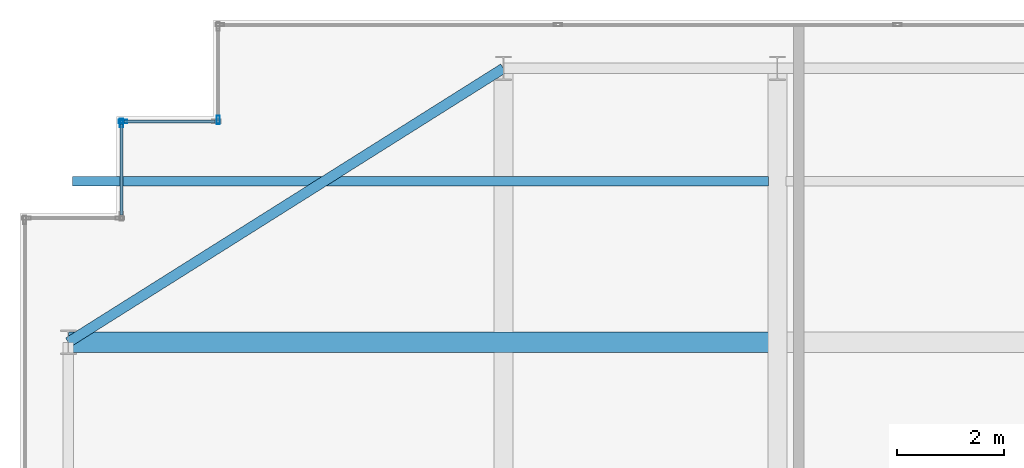
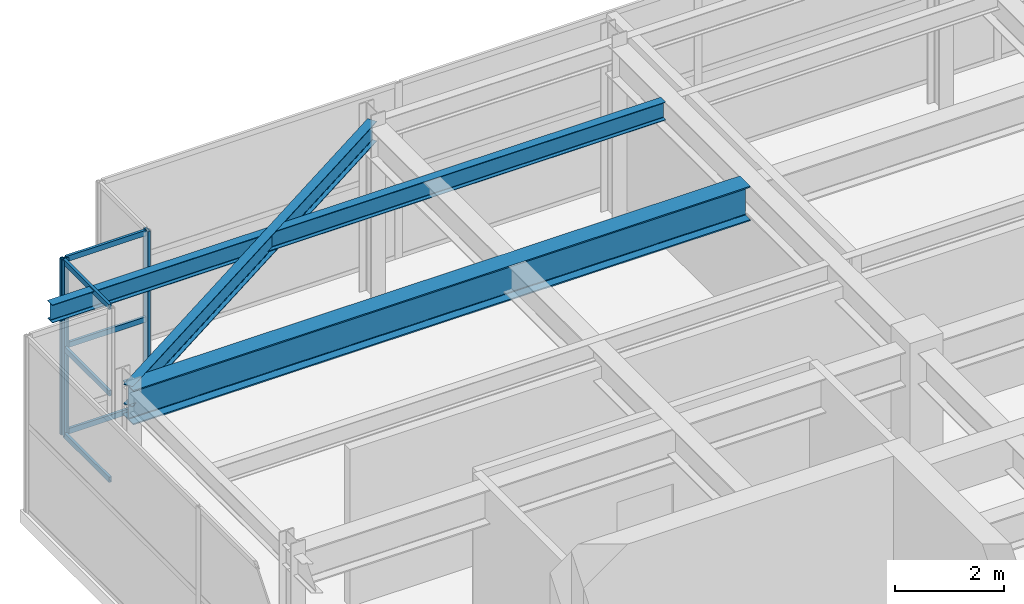
# One storey, part 21 of 32: 9 members, 3 beams, 3 elements without a shape of their own.
"""IFC4 building model written with IfcOpenShell, lengths in metres."""

from ifc_helpers import new_model, si_unit, direction, frame, origin, origin_2d, place, context, subcontext, project, spatial, hollow_rectangle, i_section, extrude, source, transform, mapped, material, layer, layer_set, material_profile, profile_set, type_object, element, aggregate, save


model = new_model("IFC4")

# Units and contexts
model_context = context("Model", 3, precision=1e-05, world=origin(), true_north=direction((0.0, 1.0)))
body_context = subcontext(model_context, "Body", "Model", "MODEL_VIEW")
ifc_project = project(units=[si_unit("LENGTHUNIT", "METRE"), si_unit("AREAUNIT", "SQUARE_METRE"), si_unit("VOLUMEUNIT", "CUBIC_METRE"), si_unit("PLANEANGLEUNIT", "RADIAN"), si_unit("MASSUNIT", "GRAM", prefix="KILO")], contexts=[model_context])

# Site, building, storey
site_placement = place(None, origin())
site = spatial("IfcSite", under=ifc_project, at=site_placement, CompositionType="ELEMENT")
building_placement = place(site_placement, origin())
building = spatial("IfcBuilding", under=site, at=building_placement, Name="Khoralis Quay Care Tower", CompositionType="ELEMENT")
storey_placement = place(building_placement, frame((0.0, 0.0, 306.300048828125)))
storey = spatial("IfcBuildingStorey", under=building, at=storey_placement, Name="L80", CompositionType="ELEMENT", Elevation=306.300048828125)

# Beams
ifc_material_1 = material(Name="Steel S355", Category="steel")
ifc_material_profile_1 = material_profile(ifc_material_1, i_section(OverallWidth=0.18994140625, OverallDepth=0.449951171875, WebThickness=0.009521484375, FlangeThickness=0.0146484375, FilletRadius=0.02099609375, at=origin_2d()), Name="Steel S355")
ifc_profile_set_1 = profile_set([ifc_material_profile_1], Name="Steel S355")
beam_type_1 = type_object("IfcBeamType", Name="BM-IPE450", PredefinedType="SPANDREL", material=ifc_profile_set_1)
shared_shape_1 = source(origin(), body_context, "Body", "SweptSolid", [
    extrude(i_section(OverallWidth=0.18994140625, OverallDepth=0.449951171875, WebThickness=0.009521484375, FlangeThickness=0.0146484375, FilletRadius=0.02099609375, at=origin_2d()), origin(), (0.0, 0.0, 1.0), 9.572021484375),
])
beam_1_placement = place(storey_placement, frame((12.0, 41.10009765625, 3.695068359375), z_axis=(-0.846231136359, -0.532815975602, 0.0), x_axis=(0.532815975602, -0.846231136359, 0.0)))
element("IfcBeam", 1, at=beam_1_placement, inside=storey, type_object=beam_type_1, Name="BM-TCR-L80-19", PredefinedType="SPANDREL", context=body_context, shape_type="MappedRepresentation", body=[
    mapped(shared_shape_1, transform((0.0, 0.0, 0.0), scale=1.0)),
])
ifc_material_profile_2 = material_profile(ifc_material_1, i_section(OverallWidth=0.381103515625, OverallDepth=0.77294921875, WebThickness=0.0166015625, FlangeThickness=0.027587890625, FilletRadius=0.02197265625, at=origin_2d()), Name="Steel S355")
ifc_profile_set_2 = profile_set([ifc_material_profile_2], Name="Steel S355")
beam_type_2 = type_object("IfcBeamType", Name="BM-W760X257", PredefinedType="BEAM", material=ifc_profile_set_2)
shared_shape_2 = source(origin(), body_context, "Body", "SweptSolid", [
    extrude(i_section(OverallWidth=0.381103515625, OverallDepth=0.77294921875, WebThickness=0.0166015625, FlangeThickness=0.027587890625, FilletRadius=0.02197265625, at=origin_2d()), origin(), (0.0, 0.0, 1.0), 13.03466796875),
])
beam_2_placement = place(storey_placement, frame((3.89990234375, 36.0, 3.533447265625), z_axis=(1.0, 0.0, 0.0), x_axis=(0.0, 1.0, 0.0)))
element("IfcBeam", 2, at=beam_2_placement, inside=storey, type_object=beam_type_2, Name="BM-TGXW-L80-360", PredefinedType="BEAM", context=body_context, shape_type="MappedRepresentation", body=[
    mapped(shared_shape_2, transform((0.0, 0.0, 0.0), scale=1.0)),
])
ifc_material_profile_3 = material_profile(ifc_material_1, i_section(OverallWidth=0.177978515625, OverallDepth=0.406982421875, WebThickness=0.0078125, FlangeThickness=0.0126953125, FilletRadius=0.012939453125, at=origin_2d()), Name="Steel S355")
ifc_profile_set_3 = profile_set([ifc_material_profile_3], Name="Steel S355")
beam_type_3 = type_object("IfcBeamType", Name="BM-W410X60", PredefinedType="JOIST", material=ifc_profile_set_3)
shared_shape_3 = source(origin(), body_context, "Body", "SweptSolid", [
    extrude(i_section(OverallWidth=0.177978515625, OverallDepth=0.406982421875, WebThickness=0.0078125, FlangeThickness=0.0126953125, FilletRadius=0.012939453125, at=origin_2d()), origin(), (0.0, 0.0, 1.0), 12.95361328125),
])
beam_3_placement = place(storey_placement, frame((3.98095703125, 39.0, 3.716552734375), z_axis=(1.0, 0.0, 0.0), x_axis=(0.0, 1.0, 0.0)))
element("IfcBeam", 3, at=beam_3_placement, inside=storey, type_object=beam_type_3, Name="BM-TJS-L80-27", PredefinedType="JOIST", context=body_context, shape_type="MappedRepresentation", body=[
    mapped(shared_shape_3, transform((0.0, 0.0, 0.0), scale=1.0)),
])

# Curtain wall, members
ifc_material_2 = material(Name="Pale anodised aluminium", Category="aluminium")
ifc_layer = layer(ifc_material_2, 0.199951171875)
ifc_layer_set = layer_set([ifc_layer], Name="Pale anodised aluminium")
curtain_wall_type = type_object("IfcCurtainWallType", Name="CW-SYS-LANTERN", PredefinedType="NOTDEFINED", material=ifc_layer_set)
curtain_wall_1_placement = place(storey_placement, origin())
curtain_wall_1 = element("IfcCurtainWall", 4, at=curtain_wall_1_placement, inside=storey, type_object=curtain_wall_type, Name="L80 Unitised Curtain Wall CW-LN-L80-13", PredefinedType="NOTDEFINED")
ifc_material_profile_4 = material_profile(ifc_material_2, hollow_rectangle(XDim=0.054931640625, YDim=0.1201171875, WallThickness=0.00390625, at=origin_2d()), Name="Pale anodised aluminium")
ifc_profile_set_4 = profile_set([ifc_material_profile_4], Name="Pale anodised aluminium")
member_type_1 = type_object("IfcMemberType", Name="CW-TRN-120", PredefinedType="USERDEFINED", material=ifc_profile_set_4)
shared_shape_4 = source(origin(), body_context, "Body", "SweptSolid", [
    extrude(hollow_rectangle(XDim=0.054931640625, YDim=0.1201171875, WallThickness=0.00390625, at=origin_2d()), origin(), (0.0, 0.0, 1.0), 1.679931640625),
])
member_1_placement = place(storey_placement, frame((6.6298828125, 40.110107421875, 0.030029296875), z_axis=(-1.0, 0.0, 0.0), x_axis=(0.0, -1.0, 0.0)))
member_1 = element("IfcMember", 5, at=member_1_placement, type_object=member_type_1, Name="CW5 transom 1.1", ObjectType="TRANSOM", PredefinedType="USERDEFINED", context=body_context, shape_type="MappedRepresentation", body=[
    mapped(shared_shape_4, transform((0.0, 0.0, 0.0), scale=1.0)),
])
member_2_placement = place(storey_placement, frame((6.6298828125, 40.110107421875, 1.9599609375), z_axis=(-1.0, 0.0, 0.0), x_axis=(0.0, -1.0, 0.0)))
member_2 = element("IfcMember", 6, at=member_2_placement, type_object=member_type_1, Name="CW5 transom 1.2", ObjectType="TRANSOM", PredefinedType="USERDEFINED", context=body_context, shape_type="MappedRepresentation", body=[
    mapped(shared_shape_4, transform((0.0, 0.0, 0.0), scale=1.0)),
])
member_3_placement = place(storey_placement, frame((6.6298828125, 40.110107421875, 3.889892578125), z_axis=(-1.0, 0.0, 0.0), x_axis=(0.0, -1.0, 0.0)))
member_3 = element("IfcMember", 7, at=member_3_placement, type_object=member_type_1, Name="CW5 transom 1.3", ObjectType="TRANSOM", PredefinedType="USERDEFINED", context=body_context, shape_type="MappedRepresentation", body=[
    mapped(shared_shape_4, transform((0.0, 0.0, 0.0), scale=1.0)),
])

curtain_wall_2_placement = place(storey_placement, origin())
curtain_wall_2 = element("IfcCurtainWall", 8, at=curtain_wall_2_placement, inside=storey, type_object=curtain_wall_type, Name="L80 Unitised Curtain Wall CW-LN-L80-14", PredefinedType="NOTDEFINED")
member_4_placement = place(storey_placement, frame((4.889892578125, 40.050048828125, 0.030029296875), z_axis=(0.0, -1.0, 0.0), x_axis=(1.0, 0.0, 0.0)))
member_4 = element("IfcMember", 9, at=member_4_placement, type_object=member_type_1, Name="CW5 transom 1.1", ObjectType="TRANSOM", PredefinedType="USERDEFINED", context=body_context, shape_type="MappedRepresentation", body=[
    mapped(shared_shape_4, transform((0.0, 0.0, 0.0), scale=1.0)),
])
member_5_placement = place(storey_placement, frame((4.889892578125, 40.050048828125, 1.9599609375), z_axis=(0.0, -1.0, 0.0), x_axis=(1.0, 0.0, 0.0)))
member_5 = element("IfcMember", 10, at=member_5_placement, type_object=member_type_1, Name="CW5 transom 1.2", ObjectType="TRANSOM", PredefinedType="USERDEFINED", context=body_context, shape_type="MappedRepresentation", body=[
    mapped(shared_shape_4, transform((0.0, 0.0, 0.0), scale=1.0)),
])
member_6_placement = place(storey_placement, frame((4.889892578125, 40.050048828125, 3.889892578125), z_axis=(0.0, -1.0, 0.0), x_axis=(1.0, 0.0, 0.0)))
member_6 = element("IfcMember", 11, at=member_6_placement, type_object=member_type_1, Name="CW5 transom 1.3", ObjectType="TRANSOM", PredefinedType="USERDEFINED", context=body_context, shape_type="MappedRepresentation", body=[
    mapped(shared_shape_4, transform((0.0, 0.0, 0.0), scale=1.0)),
])

# Curtain wall, member
curtain_wall_3_placement = place(storey_placement, origin())
curtain_wall_3 = element("IfcCurtainWall", 12, at=curtain_wall_3_placement, inside=storey, type_object=curtain_wall_type, Name="L80 Unitised Curtain Wall CW-LN-L80-12", PredefinedType="NOTDEFINED")
ifc_material_profile_5 = material_profile(ifc_material_2, hollow_rectangle(XDim=0.06005859375, YDim=0.159912109375, WallThickness=0.00390625, at=origin_2d()), Name="Pale anodised aluminium")
ifc_profile_set_5 = profile_set([ifc_material_profile_5], Name="Pale anodised aluminium")
member_type_2 = type_object("IfcMemberType", Name="CW-MUL-160", PredefinedType="MULLION", material=ifc_profile_set_5)
shared_shape_5 = source(origin(), body_context, "Body", "SweptSolid", [
    extrude(hollow_rectangle(XDim=0.06005859375, YDim=0.159912109375, WallThickness=0.00390625, at=origin_2d()), origin(), (0.0, 0.0, 1.0), 3.919921875),
])
member_7_placement = place(storey_placement, frame((6.68994140625, 40.139892578125, 0.0), z_axis=(0.0, 0.0, 1.0), x_axis=(1.0, 0.0, 0.0)))
member_7 = element("IfcMember", 13, at=member_7_placement, type_object=member_type_2, Name="CW5 mullion 2", PredefinedType="MULLION", context=body_context, shape_type="MappedRepresentation", body=[
    mapped(shared_shape_5, transform((0.0, 0.0, 0.0), scale=1.0)),
])
aggregate(curtain_wall_3, [member_7])

# Member
member_8_placement = place(storey_placement, frame((4.919921875, 40.110107421875, 0.0), z_axis=(0.0, 0.0, 1.0), x_axis=(0.0, -1.0, 0.0)))
member_8 = element("IfcMember", 14, at=member_8_placement, type_object=member_type_2, Name="CW5 mullion 2", PredefinedType="MULLION", context=body_context, shape_type="MappedRepresentation", body=[
    mapped(shared_shape_5, transform((0.0, 0.0, 0.0), scale=1.0)),
])

aggregate(curtain_wall_1, [member_8, member_1, member_2, member_3])

member_9_placement = place(storey_placement, frame((4.889892578125, 40.080078125, 0.0), z_axis=(0.0, 0.0, 1.0), x_axis=(1.0, 0.0, 0.0)))
member_9 = element("IfcMember", 15, at=member_9_placement, type_object=member_type_2, Name="CW5 mullion 1", PredefinedType="MULLION", context=body_context, shape_type="MappedRepresentation", body=[
    mapped(shared_shape_5, transform((0.0, 0.0, 0.0), scale=1.0)),
])

aggregate(curtain_wall_2, [member_9, member_4, member_5, member_6])

save(model, "model.ifc")
